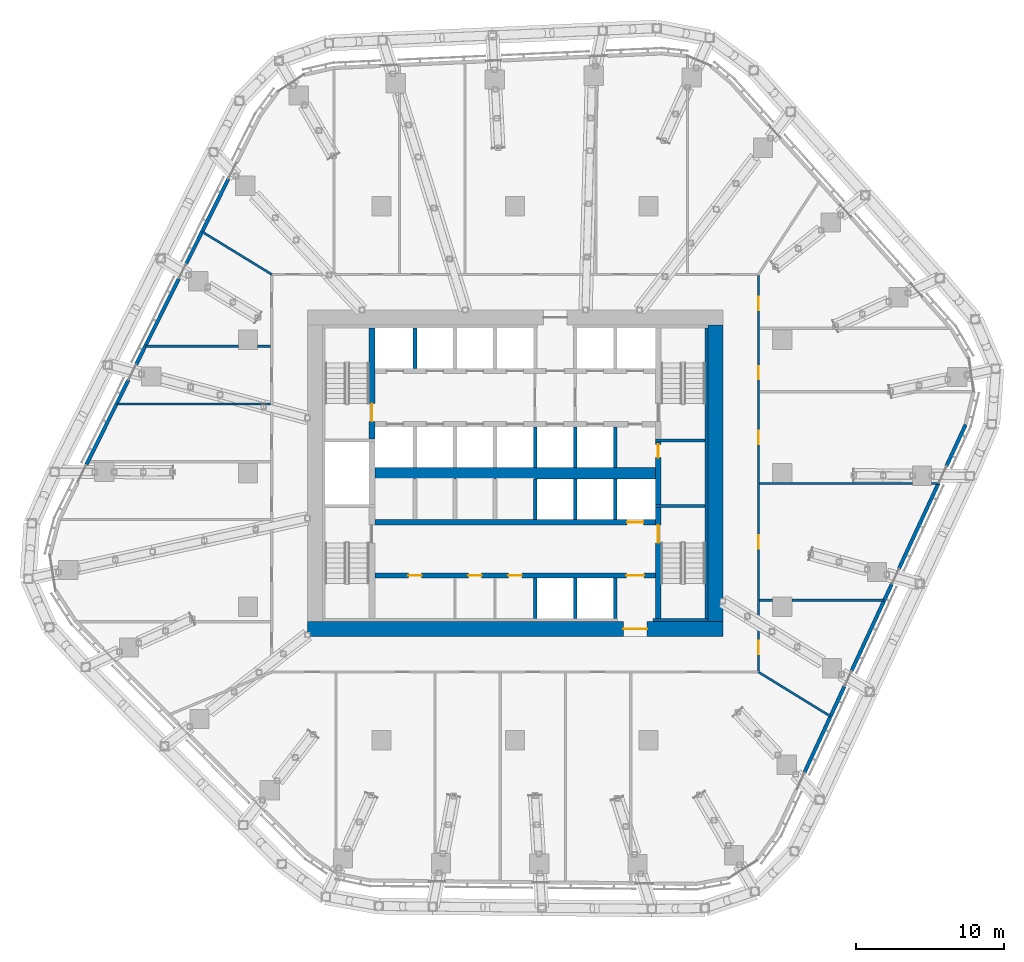
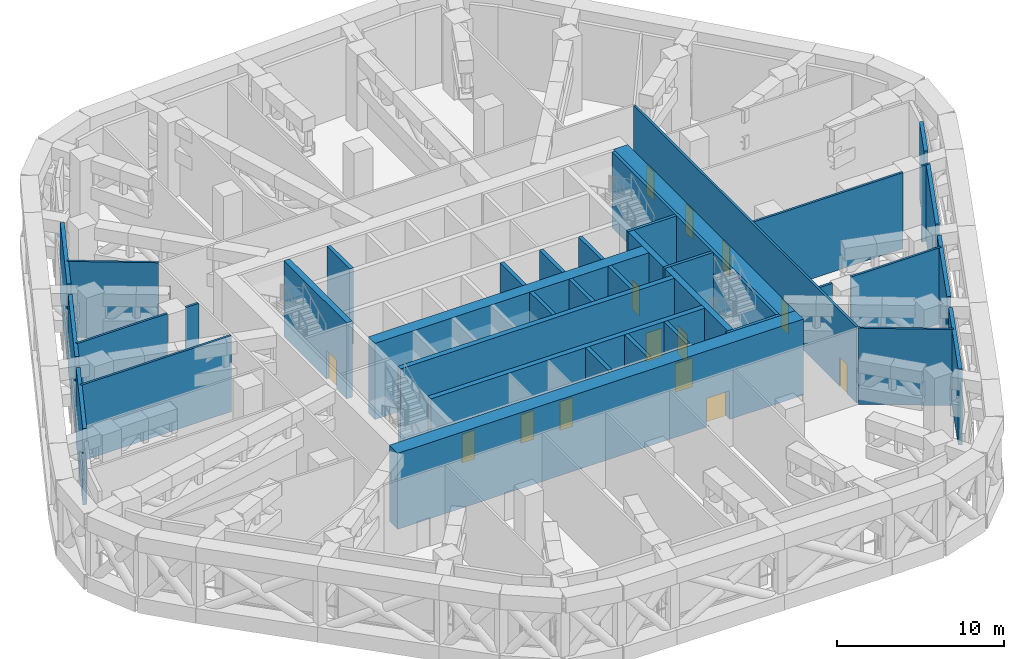
# One storey, part 17 of 30: 39 walls, 14 doors, 14 openings.
"""IFC4 building model written with IfcOpenShell, lengths in metres."""

from ifc_helpers import new_model, si_unit, direction, frame, frame_2d, origin, place, context, subcontext, project, spatial, rectangle, extrude, material, layer, layer_set, type_object, element, fill, save


model = new_model("IFC4")

# Units and contexts
model_context = context("Model", 3, precision=1e-05, world=origin(), true_north=direction((0.0, 1.0)))
body_context = subcontext(model_context, "Body", "Model", "MODEL_VIEW")
ifc_project = project(units=[si_unit("LENGTHUNIT", "METRE"), si_unit("AREAUNIT", "SQUARE_METRE"), si_unit("VOLUMEUNIT", "CUBIC_METRE"), si_unit("PLANEANGLEUNIT", "RADIAN"), si_unit("MASSUNIT", "GRAM", prefix="KILO")], contexts=[model_context])

# Site, building, storey
site_placement = place(None, origin())
site = spatial("IfcSite", under=ifc_project, at=site_placement, CompositionType="ELEMENT")
building_placement = place(site_placement, origin())
building = spatial("IfcBuilding", under=site, at=building_placement, Name="Dongbaek Canopy Tower", CompositionType="ELEMENT")
storey_placement = place(building_placement, frame((0.0, 0.0, 145.60009765625)))
storey = spatial("IfcBuildingStorey", under=building, at=storey_placement, Name="L32", CompositionType="ELEMENT", Elevation=145.60009765625)

# Wall
ifc_material_1 = material(Name="Concrete C60/75", Category="concrete")
ifc_layer_1 = layer(ifc_material_1, 0.800048828125)
ifc_layer_set_1 = layer_set([ifc_layer_1], Name="Core central wall 800 Concrete C60/75")
wall_type_1 = type_object("IfcWallType", Name="Core central wall 800 Concrete C60/75", PredefinedType="SHEAR", material=ifc_layer_set_1)
wall_1_placement = place(storey_placement, frame((-9.449951171875, 0.0, 0.0), z_axis=(0.0, 0.0, 1.0), x_axis=(1.0, 0.0, 0.0)))
element("IfcWall", 1, at=wall_1_placement, inside=storey, type_object=wall_type_1, Name="Core wall", PredefinedType="SHEAR", context=body_context, shape_type="SweptSolid", body=[
    extrude(rectangle(XDim=18.89990234375, YDim=0.800048828125, at=frame_2d((9.449951171875, 0.0))), origin(), (0.0, 0.0, 1.0), 5.5498046875),
])

# Wall, opening, door
ifc_material_2 = material(Name="Concrete C60/75", Category="concrete")
ifc_layer_2 = layer(ifc_material_2, 0.35009765625)
ifc_layer_set_2 = layer_set([ifc_layer_2], Name="Core lobby wall 350 Concrete C60/75")
wall_type_2 = type_object("IfcWallType", Name="Core lobby wall 350 Concrete C60/75", PredefinedType="SHEAR", material=ifc_layer_set_2)
wall_2_placement = place(storey_placement, frame((-9.449951171875, -3.300048828125, 0.0), z_axis=(0.0, 0.0, 1.0), x_axis=(1.0, 0.0, 0.0)))
wall_2 = element("IfcWall", 2, at=wall_2_placement, inside=storey, type_object=wall_type_2, Name="Core wall", PredefinedType="SHEAR", context=body_context, shape_type="SweptSolid", body=[
    extrude(rectangle(XDim=18.89990234375, YDim=0.35009765625, at=frame_2d((9.449951171875, 0.0))), origin(), (0.0, 0.0, 1.0), 5.5498046875),
])
opening_1_placement = place(wall_2_placement, frame((17.0, 0.0, 0.0)))
opening_1 = element("IfcOpeningElement", 3, at=opening_1_placement, cuts=wall_2, Name="Opening L32-D040", PredefinedType="OPENING", context=body_context, shape_type="SweptSolid", body=[
    extrude(rectangle(XDim=1.10009765625, YDim=2.10009765625, at=frame_2d((0.550048828125, 1.050048828125))), frame((0.0, 0.18505859375, 0.0), z_axis=(0.0, -1.0, 0.0), x_axis=(1.0, 0.0, 0.0)), (0.0, 0.0, 1.0), 0.3701171875),
])
ifc_material_3 = material(Name="Stainless steel", Category="steel")
door_type_1 = type_object("IfcDoorType", Name="Lift landing door 1100 x 2100", OperationType="DOUBLE_DOOR_SLIDING", PredefinedType="DOOR", material=ifc_material_3)
door_1_placement = place(opening_1_placement, origin())
door_1 = element("IfcDoor", 4, at=door_1_placement, inside=storey, type_object=door_type_1, Name="Landing door SV2", OperationType="DOUBLE_DOOR_SLIDING", OverallHeight=2.10009765625, OverallWidth=1.10009765625, PredefinedType="DOOR", context=body_context, shape_type="SweptSolid", body=[
    extrude(rectangle(XDim=1.10009765625, YDim=2.10009765625, at=frame_2d((0.550048828125, 1.050048828125))), frame((0.0, 0.02490234375, 0.0), z_axis=(0.0, -1.0, 0.0), x_axis=(1.0, 0.0, 0.0)), (0.0, 0.0, 1.0), 0.050048828125),
])
fill(opening_1, door_1)

# Wall, openings, doors
wall_3_placement = place(storey_placement, frame((9.449951171875, -6.89990234375, 0.0), z_axis=(0.0, 0.0, 1.0), x_axis=(-1.0, 0.0, 0.0)))
wall_3 = element("IfcWall", 5, at=wall_3_placement, inside=storey, type_object=wall_type_2, Name="Core wall", PredefinedType="SHEAR", context=body_context, shape_type="SweptSolid", body=[
    extrude(rectangle(XDim=18.89990234375, YDim=0.35009765625, at=frame_2d((9.449951171875, 0.0))), origin(), (0.0, 0.0, 1.0), 5.5498046875),
])
opening_2_placement = place(wall_3_placement, frame((0.75, 0.0, 0.0)))
opening_2 = element("IfcOpeningElement", 6, at=opening_2_placement, cuts=wall_3, Name="Opening L32-D042", PredefinedType="OPENING", context=body_context, shape_type="SweptSolid", body=[
    extrude(rectangle(XDim=1.199951171875, YDim=2.10009765625, at=frame_2d((0.60009765625, 1.050048828125))), frame((0.0, 0.18505859375, 0.0), z_axis=(0.0, -1.0, 0.0), x_axis=(1.0, 0.0, 0.0)), (0.0, 0.0, 1.0), 0.3701171875),
])
opening_3_placement = place(wall_3_placement, frame((15.75, 0.0, 0.0)))
opening_3 = element("IfcOpeningElement", 7, at=opening_3_placement, cuts=wall_3, Name="Opening L32-D043", PredefinedType="OPENING", context=body_context, shape_type="SweptSolid", body=[
    extrude(rectangle(XDim=0.89990234375, YDim=2.10009765625, at=frame_2d((0.449951171875, 1.050048828125))), frame((0.0, 0.18505859375, 0.0), z_axis=(0.0, -1.0, 0.0), x_axis=(1.0, 0.0, 0.0)), (0.0, 0.0, 1.0), 0.3701171875),
])
opening_4_placement = place(wall_3_placement, frame((11.699951171875, 0.0, 0.0)))
opening_4 = element("IfcOpeningElement", 8, at=opening_4_placement, cuts=wall_3, Name="Opening L32-D044", PredefinedType="OPENING", context=body_context, shape_type="SweptSolid", body=[
    extrude(rectangle(XDim=0.89990234375, YDim=2.10009765625, at=frame_2d((0.449951171875, 1.050048828125))), frame((0.0, 0.18505859375, 0.0), z_axis=(0.0, -1.0, 0.0), x_axis=(1.0, 0.0, 0.0)), (0.0, 0.0, 1.0), 0.3701171875),
])
opening_5_placement = place(wall_3_placement, frame((9.0, 0.0, 0.0)))
opening_5 = element("IfcOpeningElement", 9, at=opening_5_placement, cuts=wall_3, Name="Opening L32-D045", PredefinedType="OPENING", context=body_context, shape_type="SweptSolid", body=[
    extrude(rectangle(XDim=0.89990234375, YDim=2.10009765625, at=frame_2d((0.449951171875, 1.050048828125))), frame((0.0, 0.18505859375, 0.0), z_axis=(0.0, -1.0, 0.0), x_axis=(1.0, 0.0, 0.0)), (0.0, 0.0, 1.0), 0.3701171875),
])
ifc_material_4 = material(Name="Steel", Category="steel")
door_type_2 = type_object("IfcDoorType", Name="Core room door 900 x 2100", OperationType="SINGLE_SWING_LEFT", PredefinedType="DOOR", material=ifc_material_4)
door_2_placement = place(opening_3_placement, origin())
door_2 = element("IfcDoor", 10, at=door_2_placement, inside=storey, type_object=door_type_2, Name="Door L32-D043", OperationType="SINGLE_SWING_RIGHT", OverallHeight=2.10009765625, OverallWidth=0.89990234375, PredefinedType="DOOR", context=body_context, shape_type="SweptSolid", body=[
    extrude(rectangle(XDim=0.89990234375, YDim=2.10009765625, at=frame_2d((0.449951171875, 1.050048828125))), frame((0.0, 0.02490234375, 0.0), z_axis=(0.0, -1.0, 0.0), x_axis=(1.0, 0.0, 0.0)), (0.0, 0.0, 1.0), 0.050048828125),
])
fill(opening_3, door_2)
door_3_placement = place(opening_4_placement, origin())
door_3 = element("IfcDoor", 11, at=door_3_placement, inside=storey, type_object=door_type_2, Name="Door L32-D044", OperationType="SINGLE_SWING_LEFT", OverallHeight=2.10009765625, OverallWidth=0.89990234375, PredefinedType="DOOR", context=body_context, shape_type="SweptSolid", body=[
    extrude(rectangle(XDim=0.89990234375, YDim=2.10009765625, at=frame_2d((0.449951171875, 1.050048828125))), frame((0.0, 0.02490234375, 0.0), z_axis=(0.0, -1.0, 0.0), x_axis=(1.0, 0.0, 0.0)), (0.0, 0.0, 1.0), 0.050048828125),
])
fill(opening_4, door_3)
door_4_placement = place(opening_5_placement, origin())
door_4 = element("IfcDoor", 12, at=door_4_placement, inside=storey, type_object=door_type_2, Name="Door L32-D045", OperationType="SINGLE_SWING_RIGHT", OverallHeight=2.10009765625, OverallWidth=0.89990234375, PredefinedType="DOOR", context=body_context, shape_type="SweptSolid", body=[
    extrude(rectangle(XDim=0.89990234375, YDim=2.10009765625, at=frame_2d((0.449951171875, 1.050048828125))), frame((0.0, 0.02490234375, 0.0), z_axis=(0.0, -1.0, 0.0), x_axis=(1.0, 0.0, 0.0)), (0.0, 0.0, 1.0), 0.050048828125),
])
fill(opening_5, door_4)
ifc_material_5 = material(Name="Steel", Category="steel")
door_type_3 = type_object("IfcDoorType", Name="Fire lobby door 1200 x 2100", OperationType="SINGLE_SWING_LEFT", PredefinedType="DOOR", material=ifc_material_5)
door_5_placement = place(opening_2_placement, origin())
door_5 = element("IfcDoor", 13, at=door_5_placement, inside=storey, type_object=door_type_3, Name="Door L32-D042", OperationType="SINGLE_SWING_LEFT", OverallHeight=2.10009765625, OverallWidth=1.199951171875, PredefinedType="DOOR", context=body_context, shape_type="SweptSolid", body=[
    extrude(rectangle(XDim=1.199951171875, YDim=2.10009765625, at=frame_2d((0.60009765625, 1.050048828125))), frame((0.0, 0.02490234375, 0.0), z_axis=(0.0, -1.0, 0.0), x_axis=(1.0, 0.0, 0.0)), (0.0, 0.0, 1.0), 0.050048828125),
])
fill(opening_2, door_5)

# Wall, opening, door
ifc_material_6 = material(Name="Concrete C60/75", Category="concrete")
ifc_layer_3 = layer(ifc_material_6, 1.0)
ifc_layer_set_3 = layer_set([ifc_layer_3], Name="Core outer wall 1000 Concrete C60/75")
wall_type_3 = type_object("IfcWallType", Name="Core outer wall 1000 Concrete C60/75", PredefinedType="SHEAR", material=ifc_layer_set_3)
wall_4_placement = place(storey_placement, frame((14.0, -10.5, 0.0), z_axis=(0.0, 0.0, 1.0), x_axis=(-1.0, 0.0, 0.0)))
wall_4 = element("IfcWall", 14, at=wall_4_placement, inside=storey, type_object=wall_type_3, Name="Core wall", PredefinedType="SHEAR", context=body_context, shape_type="SweptSolid", body=[
    extrude(rectangle(XDim=28.0, YDim=1.0, at=frame_2d((14.0, 0.0))), origin(), (0.0, 0.0, 1.0), 5.5498046875),
])
opening_6_placement = place(wall_4_placement, frame((5.10009765625, 0.0, 0.0)))
opening_6 = element("IfcOpeningElement", 15, at=opening_6_placement, cuts=wall_4, Name="Opening L32-D041", PredefinedType="OPENING", context=body_context, shape_type="SweptSolid", body=[
    extrude(rectangle(XDim=1.60009765625, YDim=2.10009765625, at=frame_2d((0.800048828125, 1.050048828125))), frame((0.0, 0.510009765625, 0.0), z_axis=(0.0, -1.0, 0.0), x_axis=(1.0, 0.0, 0.0)), (0.0, 0.0, 1.0), 1.02001953125),
])
ifc_material_7 = material(Name="Steel", Category="steel")
door_type_4 = type_object("IfcDoorType", Name="Core exit door 1600 x 2100", OperationType="DOUBLE_DOOR_SINGLE_SWING", PredefinedType="DOOR", material=ifc_material_7)
door_6_placement = place(opening_6_placement, origin())
door_6 = element("IfcDoor", 16, at=door_6_placement, inside=storey, type_object=door_type_4, Name="Core exit door", OperationType="DOUBLE_DOOR_SINGLE_SWING", OverallHeight=2.10009765625, OverallWidth=1.60009765625, PredefinedType="DOOR", context=body_context, shape_type="SweptSolid", body=[
    extrude(rectangle(XDim=1.60009765625, YDim=2.10009765625, at=frame_2d((0.800048828125, 1.050048828125))), frame((0.0, 0.02490234375, 0.0), z_axis=(0.0, -1.0, 0.0), x_axis=(1.0, 0.0, 0.0)), (0.0, 0.0, 1.0), 0.050048828125),
])
fill(opening_6, door_6)

# Walls
wall_5_placement = place(storey_placement, frame((13.5, 10.0, 0.0), z_axis=(0.0, 0.0, 1.0), x_axis=(0.0, -1.0, 0.0)))
element("IfcWall", 17, at=wall_5_placement, inside=storey, type_object=wall_type_3, Name="Core wall", PredefinedType="SHEAR", context=body_context, shape_type="SweptSolid", body=[
    extrude(rectangle(XDim=20.0, YDim=1.0, at=frame_2d((10.0, 0.0))), origin(), (0.0, 0.0, 1.0), 5.5498046875),
])
ifc_material_8 = material(Name="Concrete C60/75", Category="concrete")
ifc_layer_4 = layer(ifc_material_8, 0.199951171875)
ifc_layer_set_4 = layer_set([ifc_layer_4], Name="Core wall lining 200 Concrete C60/75")
wall_type_4 = type_object("IfcWallType", Name="Core wall lining 200 Concrete C60/75", PredefinedType="SHEAR", material=ifc_layer_set_4)
wall_6_placement = place(storey_placement, frame((13.0, -9.89990234375, 0.0), z_axis=(0.0, 0.0, 1.0), x_axis=(-1.0, 0.0, 0.0)))
element("IfcWall", 18, at=wall_6_placement, inside=storey, type_object=wall_type_4, Name="Core wall lining", PredefinedType="SHEAR", context=body_context, shape_type="SweptSolid", body=[
    extrude(rectangle(XDim=3.699951171875, YDim=0.199951171875, at=frame_2d((1.85009765625, 0.0))), origin(), (0.0, 0.0, 1.0), 5.5498046875),
])
wall_7_placement = place(storey_placement, frame((12.89990234375, 9.800048828125, 0.0), z_axis=(0.0, 0.0, 1.0), x_axis=(0.0, -1.0, 0.0)))
element("IfcWall", 19, at=wall_7_placement, inside=storey, type_object=wall_type_4, Name="Core wall lining", PredefinedType="SHEAR", context=body_context, shape_type="SweptSolid", body=[
    extrude(rectangle(XDim=19.60009765625, YDim=0.199951171875, at=frame_2d((9.800048828125, 0.0))), origin(), (0.0, 0.0, 1.0), 5.5498046875),
])
ifc_material_9 = material(Name="Gypsum board partition, steel stud, 2 x 15 mm fire board", Category="steel")
ifc_layer_5 = layer(ifc_material_9, 0.14990234375)
ifc_layer_set_5 = layer_set([ifc_layer_5], Name="Fire-rated partition 150 gypsum board")
wall_type_5 = type_object("IfcWallType", Name="Fire-rated partition 150 gypsum board", PredefinedType="PARTITIONING", material=ifc_layer_set_5)
wall_8_placement = place(storey_placement, frame((16.47509765625, -8.56591796875, 0.0), z_axis=(0.0, 0.0, 1.0), x_axis=(1.0, 0.0, 0.0)))
element("IfcWall", 20, at=wall_8_placement, inside=storey, type_object=wall_type_5, Name="Corridor partition", PredefinedType="PARTITIONING", context=body_context, shape_type="SweptSolid", body=[
    extrude(rectangle(XDim=0.875, YDim=0.14990234375, at=frame_2d((0.4375, 0.0))), origin(), (0.0, 0.0, 1.0), 5.5498046875),
])
wall_9_placement = place(storey_placement, frame((18.64990234375, -8.56591796875, 0.0), z_axis=(0.0, 0.0, 1.0), x_axis=(1.0, 0.0, 0.0)))
element("IfcWall", 21, at=wall_9_placement, inside=storey, type_object=wall_type_5, Name="Corridor partition", PredefinedType="PARTITIONING", context=body_context, shape_type="SweptSolid", body=[
    extrude(rectangle(XDim=6.2177734375, YDim=0.14990234375, at=frame_2d((3.10888671875, 0.0))), origin(), (0.0, 0.0, 1.0), 5.5498046875),
])
wall_10_placement = place(storey_placement, frame((16.47509765625, -0.68896484375, 0.0), z_axis=(0.0, 0.0, 1.0), x_axis=(1.0, 0.0, 0.0)))
element("IfcWall", 22, at=wall_10_placement, inside=storey, type_object=wall_type_5, Name="Corridor partition", PredefinedType="PARTITIONING", context=body_context, shape_type="SweptSolid", body=[
    extrude(rectangle(XDim=10.310791015625, YDim=0.14990234375, at=frame_2d((5.1552734375, 0.0))), origin(), (0.0, 0.0, 1.0), 5.5498046875),
])
wall_11_placement = place(storey_placement, frame((28.0859375, -0.68896484375, 0.0), z_axis=(0.0, 0.0, 1.0), x_axis=(1.0, 0.0, 0.0)))
element("IfcWall", 23, at=wall_11_placement, inside=storey, type_object=wall_type_5, Name="Corridor partition", PredefinedType="PARTITIONING", context=body_context, shape_type="SweptSolid", body=[
    extrude(rectangle(XDim=0.4306640625, YDim=0.14990234375, at=frame_2d((0.21533203125, 0.0))), origin(), (0.0, 0.0, 1.0), 5.5498046875),
])
wall_12_placement = place(storey_placement, frame((-26.849609375, 4.66796875, 0.0), z_axis=(0.0, 0.0, 1.0), x_axis=(1.0, 0.0, 0.0)))
element("IfcWall", 24, at=wall_12_placement, inside=storey, type_object=wall_type_5, Name="Corridor partition", PredefinedType="PARTITIONING", context=body_context, shape_type="SweptSolid", body=[
    extrude(rectangle(XDim=10.37451171875, YDim=0.14990234375, at=frame_2d((5.187255859375, 0.0))), origin(), (0.0, 0.0, 1.0), 5.5498046875),
])
wall_13_placement = place(storey_placement, frame((-24.917724609375, 8.556884765625, 0.0), z_axis=(0.0, 0.0, 1.0), x_axis=(1.0, 0.0, 0.0)))
element("IfcWall", 25, at=wall_13_placement, inside=storey, type_object=wall_type_5, Name="Corridor partition", PredefinedType="PARTITIONING", context=body_context, shape_type="SweptSolid", body=[
    extrude(rectangle(XDim=6.267822265625, YDim=0.14990234375, at=frame_2d((3.1337890625, 0.0))), origin(), (0.0, 0.0, 1.0), 5.5498046875),
])
wall_14_placement = place(storey_placement, frame((-17.35009765625, 8.556884765625, 0.0), z_axis=(0.0, 0.0, 1.0), x_axis=(1.0, 0.0, 0.0)))
element("IfcWall", 26, at=wall_14_placement, inside=storey, type_object=wall_type_5, Name="Corridor partition", PredefinedType="PARTITIONING", context=body_context, shape_type="SweptSolid", body=[
    extrude(rectangle(XDim=0.875, YDim=0.14990234375, at=frame_2d((0.4375, 0.0))), origin(), (0.0, 0.0, 1.0), 5.5498046875),
])

# Wall, openings, doors
wall_15_placement = place(storey_placement, frame((16.39990234375, 13.324951171875, 0.0), z_axis=(0.0, 0.0, 1.0), x_axis=(0.0, -1.0, 0.0)))
wall_15 = element("IfcWall", 27, at=wall_15_placement, inside=storey, type_object=wall_type_5, Name="Corridor partition", PredefinedType="PARTITIONING", context=body_context, shape_type="SweptSolid", body=[
    extrude(rectangle(XDim=26.64990234375, YDim=0.14990234375, at=frame_2d((13.324951171875, 0.0))), origin(), (0.0, 0.0, 1.0), 5.5498046875),
])
opening_7_placement = place(wall_15_placement, frame((24.6162109375, 0.0, 0.0)))
opening_7 = element("IfcOpeningElement", 28, at=opening_7_placement, cuts=wall_15, Name="Opening L32-D010", PredefinedType="OPENING", context=body_context, shape_type="SweptSolid", body=[
    extrude(rectangle(XDim=0.89990234375, YDim=2.10009765625, at=frame_2d((0.449951171875, 1.050048828125))), frame((0.0, 0.0849609375, 0.0), z_axis=(0.0, -1.0, 0.0), x_axis=(1.0, 0.0, 0.0)), (0.0, 0.0, 1.0), 0.169921875),
])
opening_8_placement = place(wall_15_placement, frame((17.5029296875, 0.0, 0.0)))
opening_8 = element("IfcOpeningElement", 29, at=opening_8_placement, cuts=wall_15, Name="Opening L32-D011", PredefinedType="OPENING", context=body_context, shape_type="SweptSolid", body=[
    extrude(rectangle(XDim=0.89990234375, YDim=2.10009765625, at=frame_2d((0.449951171875, 1.050048828125))), frame((0.0, 0.0849609375, 0.0), z_axis=(0.0, -1.0, 0.0), x_axis=(1.0, 0.0, 0.0)), (0.0, 0.0, 1.0), 0.169921875),
])
opening_9_placement = place(wall_15_placement, frame((10.471923828125, 0.0, 0.0)))
opening_9 = element("IfcOpeningElement", 30, at=opening_9_placement, cuts=wall_15, Name="Opening L32-D012", PredefinedType="OPENING", context=body_context, shape_type="SweptSolid", body=[
    extrude(rectangle(XDim=0.89990234375, YDim=2.10009765625, at=frame_2d((0.449951171875, 1.050048828125))), frame((0.0, 0.0849609375, 0.0), z_axis=(0.0, -1.0, 0.0), x_axis=(1.0, 0.0, 0.0)), (0.0, 0.0, 1.0), 0.169921875),
])
opening_10_placement = place(wall_15_placement, frame((6.1044921875, 0.0, 0.0)))
opening_10 = element("IfcOpeningElement", 31, at=opening_10_placement, cuts=wall_15, Name="Opening L32-D013", PredefinedType="OPENING", context=body_context, shape_type="SweptSolid", body=[
    extrude(rectangle(XDim=0.89990234375, YDim=2.10009765625, at=frame_2d((0.449951171875, 1.050048828125))), frame((0.0, 0.0849609375, 0.0), z_axis=(0.0, -1.0, 0.0), x_axis=(1.0, 0.0, 0.0)), (0.0, 0.0, 1.0), 0.169921875),
])
opening_11_placement = place(wall_15_placement, frame((1.4384765625, 0.0, 0.0)))
opening_11 = element("IfcOpeningElement", 32, at=opening_11_placement, cuts=wall_15, Name="Opening L32-D014", PredefinedType="OPENING", context=body_context, shape_type="SweptSolid", body=[
    extrude(rectangle(XDim=0.89990234375, YDim=2.10009765625, at=frame_2d((0.449951171875, 1.050048828125))), frame((0.0, 0.0849609375, 0.0), z_axis=(0.0, -1.0, 0.0), x_axis=(1.0, 0.0, 0.0)), (0.0, 0.0, 1.0), 0.169921875),
])
ifc_material_10 = material(Name="Timber veneered door leaf", Category="wood")
door_type_5 = type_object("IfcDoorType", Name="Store door 900 x 2100", OperationType="SINGLE_SWING_LEFT", PredefinedType="DOOR", material=ifc_material_10)
door_7_placement = place(opening_7_placement, origin())
door_7 = element("IfcDoor", 33, at=door_7_placement, inside=storey, type_object=door_type_5, Name="Door L32-D010", OperationType="SINGLE_SWING_LEFT", OverallHeight=2.10009765625, OverallWidth=0.89990234375, PredefinedType="DOOR", context=body_context, shape_type="SweptSolid", body=[
    extrude(rectangle(XDim=0.89990234375, YDim=2.10009765625, at=frame_2d((0.449951171875, 1.050048828125))), frame((0.0, 0.02490234375, 0.0), z_axis=(0.0, -1.0, 0.0), x_axis=(1.0, 0.0, 0.0)), (0.0, 0.0, 1.0), 0.050048828125),
])
fill(opening_7, door_7)
door_8_placement = place(opening_8_placement, origin())
door_8 = element("IfcDoor", 34, at=door_8_placement, inside=storey, type_object=door_type_5, Name="Door L32-D011", OperationType="SINGLE_SWING_RIGHT", OverallHeight=2.10009765625, OverallWidth=0.89990234375, PredefinedType="DOOR", context=body_context, shape_type="SweptSolid", body=[
    extrude(rectangle(XDim=0.89990234375, YDim=2.10009765625, at=frame_2d((0.449951171875, 1.050048828125))), frame((0.0, 0.02490234375, 0.0), z_axis=(0.0, -1.0, 0.0), x_axis=(1.0, 0.0, 0.0)), (0.0, 0.0, 1.0), 0.050048828125),
])
fill(opening_8, door_8)
door_9_placement = place(opening_9_placement, origin())
door_9 = element("IfcDoor", 35, at=door_9_placement, inside=storey, type_object=door_type_5, Name="Door L32-D012", OperationType="SINGLE_SWING_LEFT", OverallHeight=2.10009765625, OverallWidth=0.89990234375, PredefinedType="DOOR", context=body_context, shape_type="SweptSolid", body=[
    extrude(rectangle(XDim=0.89990234375, YDim=2.10009765625, at=frame_2d((0.449951171875, 1.050048828125))), frame((0.0, 0.02490234375, 0.0), z_axis=(0.0, -1.0, 0.0), x_axis=(1.0, 0.0, 0.0)), (0.0, 0.0, 1.0), 0.050048828125),
])
fill(opening_9, door_9)
door_10_placement = place(opening_10_placement, origin())
door_10 = element("IfcDoor", 36, at=door_10_placement, inside=storey, type_object=door_type_5, Name="Door L32-D013", OperationType="SINGLE_SWING_RIGHT", OverallHeight=2.10009765625, OverallWidth=0.89990234375, PredefinedType="DOOR", context=body_context, shape_type="SweptSolid", body=[
    extrude(rectangle(XDim=0.89990234375, YDim=2.10009765625, at=frame_2d((0.449951171875, 1.050048828125))), frame((0.0, 0.02490234375, 0.0), z_axis=(0.0, -1.0, 0.0), x_axis=(1.0, 0.0, 0.0)), (0.0, 0.0, 1.0), 0.050048828125),
])
fill(opening_10, door_10)
door_11_placement = place(opening_11_placement, origin())
door_11 = element("IfcDoor", 37, at=door_11_placement, inside=storey, type_object=door_type_5, Name="Door L32-D014", OperationType="SINGLE_SWING_LEFT", OverallHeight=2.10009765625, OverallWidth=0.89990234375, PredefinedType="DOOR", context=body_context, shape_type="SweptSolid", body=[
    extrude(rectangle(XDim=0.89990234375, YDim=2.10009765625, at=frame_2d((0.449951171875, 1.050048828125))), frame((0.0, 0.02490234375, 0.0), z_axis=(0.0, -1.0, 0.0), x_axis=(1.0, 0.0, 0.0)), (0.0, 0.0, 1.0), 0.050048828125),
])
fill(opening_11, door_11)

# Walls
wall_16_placement = place(storey_placement, frame((16.400146484375, -13.39990234375, 0.0), z_axis=(0.0, 0.0, 1.0), x_axis=(0.851901274015, -0.523702414861, 0.0)))
element("IfcWall", 38, at=wall_16_placement, inside=storey, type_object=wall_type_5, Name="Corridor partition", PredefinedType="PARTITIONING", context=body_context, shape_type="SweptSolid", body=[
    extrude(rectangle(XDim=5.690673828125, YDim=0.14990234375, at=frame_2d((2.84521484375, 0.0))), origin(), (0.0, 0.0, 1.0), 5.5498046875),
])
wall_17_placement = place(storey_placement, frame((-21.084716796875, 16.272216796875, 0.0), z_axis=(0.0, 0.0, 1.0), x_axis=(0.85254186304, -0.52265894402, 0.0)))
element("IfcWall", 39, at=wall_17_placement, inside=storey, type_object=wall_type_5, Name="Corridor partition", PredefinedType="PARTITIONING", context=body_context, shape_type="SweptSolid", body=[
    extrude(rectangle(XDim=5.4951171875, YDim=0.14990234375, at=frame_2d((2.74755859375, 0.0))), origin(), (0.0, 0.0, 1.0), 5.5498046875),
])
ifc_material_11 = material(Name="Concrete C60/75", Category="concrete")
ifc_layer_6 = layer(ifc_material_11, 0.25)
ifc_layer_set_6 = layer_set([ifc_layer_6], Name="Lift pit wall 250 Concrete C60/75")
wall_type_6 = type_object("IfcWallType", Name="Lift pit wall 250 Concrete C60/75", PredefinedType="SHEAR", material=ifc_layer_set_6)
wall_18_placement = place(storey_placement, frame((1.35009765625, -3.125, 0.0), z_axis=(0.0, 0.0, 1.0), x_axis=(0.0, 1.0, 0.0)))
element("IfcWall", 40, at=wall_18_placement, inside=storey, type_object=wall_type_6, Name="Lift pit wall", PredefinedType="SHEAR", context=body_context, shape_type="SweptSolid", body=[
    extrude(rectangle(XDim=2.72509765625, YDim=0.25, at=frame_2d((1.362548828125, 0.0))), origin(), (0.0, 0.0, 1.0), 5.5498046875),
])
ifc_material_12 = material(Name="Concrete C40/50", Category="concrete")
ifc_layer_7 = layer(ifc_material_12, 0.25)
ifc_layer_set_7 = layer_set([ifc_layer_7], Name="Lift shaft wall 250 Concrete C40/50")
wall_type_7 = type_object("IfcWallType", Name="Lift shaft wall 250 Concrete C40/50", PredefinedType="SOLIDWALL", material=ifc_layer_set_7)
for number, where, z_axis, x_axis, name in (
    (41, (6.75, -9.800048828125, 0.0), (0.0, 0.0, 1.0), (0.0, 1.0, 0.0), "Lift shaft wall"),
    (42, (6.75, -3.125, 0.0), (0.0, 0.0, 1.0), (0.0, 1.0, 0.0), "Lift shaft wall"),
    (43, (6.75, 0.39990234375, 0.0), (0.0, 0.0, 1.0), (0.0, 1.0, 0.0), "Lift shaft wall"),
    (44, (4.050048828125, -9.800048828125, 0.0), (0.0, 0.0, 1.0), (0.0, 1.0, 0.0), "Lift shaft wall"),
    (45, (4.050048828125, -3.125, 0.0), (0.0, 0.0, 1.0), (0.0, 1.0, 0.0), "Lift shaft wall"),
    (46, (4.050048828125, 0.39990234375, 0.0), (0.0, 0.0, 1.0), (0.0, 1.0, 0.0), "Lift shaft wall"),
    (47, (1.35009765625, -9.800048828125, 0.0), (0.0, 0.0, 1.0), (0.0, 1.0, 0.0), "Lift shaft wall"),
    (48, (1.35009765625, 0.39990234375, 0.0), (0.0, 0.0, 1.0), (0.0, 1.0, 0.0), "Lift shaft wall"),
    (49, (-6.75, 7.074951171875, 0.0), (0.0, 0.0, 1.0), (0.0, 1.0, 0.0), "Lift shaft wall"),
):
    element("IfcWall", number, at=place(storey_placement, frame(where, z_axis=z_axis, x_axis=x_axis)), inside=storey, type_object=wall_type_7, Name=name, PredefinedType="SOLIDWALL", context=body_context, shape_type="SweptSolid", body=[
        extrude(rectangle(XDim=2.72509765625, YDim=0.25, at=frame_2d((1.362548828125, 0.0))), origin(), (0.0, 0.0, 1.0), 5.5498046875),
    ])
ifc_material_13 = material(Name="Pale metal cladding on insulated wall")
ifc_layer_8 = layer(ifc_material_13, 0.25)
ifc_layer_set_8 = layer_set([ifc_layer_8], Name="Plant floor wall 250")
wall_type_8 = type_object("IfcWallType", Name="Plant floor wall 250", PredefinedType="SOLIDWALL", material=ifc_layer_set_8)
wall_19_placement = place(storey_placement, frame((-19.333740234375, 19.841552734375, 0.0), z_axis=(0.0, 0.0, 1.0), x_axis=(-0.444917158653, -0.895571729085, 0.0)))
element("IfcWall", 50, at=wall_19_placement, inside=storey, type_object=wall_type_8, Name="Plant wall L32 F2 2", PredefinedType="SOLIDWALL", context=body_context, shape_type="SweptSolid", body=[
    extrude(rectangle(XDim=6.3828125, YDim=0.25, at=frame_2d((3.19140625, 0.0))), origin(), (0.0, 0.0, 1.0), 5.5498046875),
])
wall_20_placement = place(storey_placement, frame((-22.678955078125, 13.108154296875, 0.0), z_axis=(0.0, 0.0, 1.0), x_axis=(-0.444935872318, -0.895562431952, 0.0)))
element("IfcWall", 51, at=wall_20_placement, inside=storey, type_object=wall_type_8, Name="Plant wall L32 F2 3", PredefinedType="SOLIDWALL", context=body_context, shape_type="SweptSolid", body=[
    extrude(rectangle(XDim=6.435302734375, YDim=0.25, at=frame_2d((3.2177734375, 0.0))), origin(), (0.0, 0.0, 1.0), 5.5498046875),
])
wall_21_placement = place(storey_placement, frame((-26.0703125, 6.2822265625, 0.0), z_axis=(0.0, 0.0, 1.0), x_axis=(-0.444896166975, -0.895582157376, 0.0)))
element("IfcWall", 52, at=wall_21_placement, inside=storey, type_object=wall_type_8, Name="Plant wall L32 F2 4", PredefinedType="SOLIDWALL", context=body_context, shape_type="SweptSolid", body=[
    extrude(rectangle(XDim=6.3671875, YDim=0.25, at=frame_2d((3.18359375, 0.0))), origin(), (0.0, 0.0, 1.0), 5.5498046875),
])
wall_22_placement = place(storey_placement, frame((19.5107421875, -20.177734375, 0.0), z_axis=(0.0, 0.0, 1.0), x_axis=(0.420327741059, 0.907372354712, 0.0)))
element("IfcWall", 53, at=wall_22_placement, inside=storey, type_object=wall_type_8, Name="Plant wall L32 F5 2", PredefinedType="SOLIDWALL", context=body_context, shape_type="SweptSolid", body=[
    extrude(rectangle(XDim=6.400146484375, YDim=0.25, at=frame_2d((3.2001953125, 0.0))), origin(), (0.0, 0.0, 1.0), 5.5498046875),
])
wall_23_placement = place(storey_placement, frame((22.6845703125, -13.326416015625, 0.0), z_axis=(0.0, 0.0, 1.0), x_axis=(0.420340604555, 0.907366395764, 0.0)))
element("IfcWall", 54, at=wall_23_placement, inside=storey, type_object=wall_type_8, Name="Plant wall L32 F5 3", PredefinedType="SOLIDWALL", context=body_context, shape_type="SweptSolid", body=[
    extrude(rectangle(XDim=6.4326171875, YDim=0.25, at=frame_2d((3.21630859375, 0.0))), origin(), (0.0, 0.0, 1.0), 5.5498046875),
])
wall_24_placement = place(storey_placement, frame((25.880859375, -6.426513671875, 0.0), z_axis=(0.0, 0.0, 1.0), x_axis=(0.420344294122, 0.907364686551, 0.0)))
element("IfcWall", 55, at=wall_24_placement, inside=storey, type_object=wall_type_8, Name="Plant wall L32 F5 4", PredefinedType="SOLIDWALL", context=body_context, shape_type="SweptSolid", body=[
    extrude(rectangle(XDim=6.341796875, YDim=0.25, at=frame_2d((3.1708984375, 0.0))), origin(), (0.0, 0.0, 1.0), 5.5498046875),
])
wall_25_placement = place(storey_placement, frame((29.090576171875, 0.501953125, 0.0), z_axis=(0.0, 0.0, 1.0), x_axis=(0.420305824115, 0.907382507113, 0.0)))
element("IfcWall", 56, at=wall_25_placement, inside=storey, type_object=wall_type_8, Name="Plant wall L32 F5 5", PredefinedType="SOLIDWALL", context=body_context, shape_type="SweptSolid", body=[
    extrude(rectangle(XDim=3.06396484375, YDim=0.25, at=frame_2d((1.531982421875, 0.0))), origin(), (0.0, 0.0, 1.0), 5.5498046875),
])
ifc_material_14 = material(Name="Concrete C60/75", Category="concrete")
ifc_layer_9 = layer(ifc_material_14, 0.199951171875)
ifc_layer_set_9 = layer_set([ifc_layer_9], Name="Riser wall 200 Concrete C60/75")
wall_type_9 = type_object("IfcWallType", Name="Riser wall 200 Concrete C60/75", PredefinedType="SHEAR", material=ifc_layer_set_9)
for number, where, z_axis, x_axis, name in (
    (57, (9.449951171875, 2.199951171875, 0.0), (0.0, 0.0, 1.0), (1.0, 0.0, 0.0), "Riser wall"),
    (58, (9.449951171875, -2.199951171875, 0.0), (0.0, 0.0, 1.0), (1.0, 0.0, 0.0), "Riser wall"),
):
    element("IfcWall", number, at=place(storey_placement, frame(where, z_axis=z_axis, x_axis=x_axis)), inside=storey, type_object=wall_type_9, Name=name, PredefinedType="SHEAR", context=body_context, shape_type="SweptSolid", body=[
        extrude(rectangle(XDim=3.35009765625, YDim=0.199951171875, at=frame_2d((1.675048828125, 0.0))), origin(), (0.0, 0.0, 1.0), 5.5498046875),
    ])

# Wall, opening, door
ifc_material_15 = material(Name="Concrete C60/75", Category="concrete")
ifc_layer_10 = layer(ifc_material_15, 0.39990234375)
ifc_layer_set_10 = layer_set([ifc_layer_10], Name="Stair wall 400 Concrete C60/75")
wall_type_10 = type_object("IfcWallType", Name="Stair wall 400 Concrete C60/75", PredefinedType="SHEAR", material=ifc_layer_set_10)
wall_26_placement = place(storey_placement, frame((9.64990234375, -2.300048828125, 0.0), z_axis=(0.0, 0.0, 1.0), x_axis=(0.0, -1.0, 0.0)))
wall_26 = element("IfcWall", 59, at=wall_26_placement, inside=storey, type_object=wall_type_10, Name="Stair wall", PredefinedType="SHEAR", context=body_context, shape_type="SweptSolid", body=[
    extrude(rectangle(XDim=7.5, YDim=0.39990234375, at=frame_2d((3.75, 0.0))), origin(), (0.0, 0.0, 1.0), 5.5498046875),
])
opening_12_placement = place(wall_26_placement, frame((1.199951171875, 0.0, 0.0)))
opening_12 = element("IfcOpeningElement", 60, at=opening_12_placement, cuts=wall_26, Name="Opening L32-D048", PredefinedType="OPENING", context=body_context, shape_type="SweptSolid", body=[
    extrude(rectangle(XDim=1.199951171875, YDim=2.10009765625, at=frame_2d((0.60009765625, 1.050048828125))), frame((0.0, 0.2099609375, 0.0), z_axis=(0.0, -1.0, 0.0), x_axis=(1.0, 0.0, 0.0)), (0.0, 0.0, 1.0), 0.419921875),
])
ifc_material_16 = material(Name="Steel", Category="steel")
door_type_6 = type_object("IfcDoorType", Name="Stair door 1200 x 2100", OperationType="SINGLE_SWING_LEFT", PredefinedType="DOOR", material=ifc_material_16)
door_12_placement = place(opening_12_placement, origin())
door_12 = element("IfcDoor", 61, at=door_12_placement, inside=storey, type_object=door_type_6, Name="Stair B door", OperationType="SINGLE_SWING_RIGHT", OverallHeight=2.10009765625, OverallWidth=1.199951171875, PredefinedType="DOOR", context=body_context, shape_type="SweptSolid", body=[
    extrude(rectangle(XDim=1.199951171875, YDim=2.10009765625, at=frame_2d((0.60009765625, 1.050048828125))), frame((0.0, 0.02490234375, 0.0), z_axis=(0.0, -1.0, 0.0), x_axis=(1.0, 0.0, 0.0)), (0.0, 0.0, 1.0), 0.050048828125),
])
fill(opening_12, door_12)

wall_27_placement = place(storey_placement, frame((9.64990234375, 2.10009765625, 0.0), z_axis=(0.0, 0.0, 1.0), x_axis=(0.0, -1.0, 0.0)))
wall_27 = element("IfcWall", 62, at=wall_27_placement, inside=storey, type_object=wall_type_10, Name="Stair wall", PredefinedType="SHEAR", context=body_context, shape_type="SweptSolid", body=[
    extrude(rectangle(XDim=4.2001953125, YDim=0.39990234375, at=frame_2d((2.10009765625, 0.0))), origin(), (0.0, 0.0, 1.0), 5.5498046875),
])
opening_13_placement = place(wall_27_placement, frame((0.14990234375, 0.0, 0.0)))
opening_13 = element("IfcOpeningElement", 63, at=opening_13_placement, cuts=wall_27, Name="Opening L32-D024", PredefinedType="OPENING", context=body_context, shape_type="SweptSolid", body=[
    extrude(rectangle(XDim=0.89990234375, YDim=2.10009765625, at=frame_2d((0.449951171875, 1.050048828125))), frame((0.0, 0.2099609375, 0.0), z_axis=(0.0, -1.0, 0.0), x_axis=(1.0, 0.0, 0.0)), (0.0, 0.0, 1.0), 0.419921875),
])
door_13_placement = place(opening_13_placement, origin())
door_13 = element("IfcDoor", 64, at=door_13_placement, inside=storey, type_object=door_type_2, Name="Door L32-D024", OperationType="SINGLE_SWING_RIGHT", OverallHeight=2.10009765625, OverallWidth=0.89990234375, PredefinedType="DOOR", context=body_context, shape_type="SweptSolid", body=[
    extrude(rectangle(XDim=0.89990234375, YDim=2.10009765625, at=frame_2d((0.449951171875, 1.050048828125))), frame((0.0, 0.02490234375, 0.0), z_axis=(0.0, -1.0, 0.0), x_axis=(1.0, 0.0, 0.0)), (0.0, 0.0, 1.0), 0.050048828125),
])
fill(opening_13, door_13)

wall_28_placement = place(storey_placement, frame((-9.64990234375, 2.300048828125, 0.0), z_axis=(0.0, 0.0, 1.0), x_axis=(0.0, 1.0, 0.0)))
wall_28 = element("IfcWall", 65, at=wall_28_placement, inside=storey, type_object=wall_type_10, Name="Stair wall", PredefinedType="SHEAR", context=body_context, shape_type="SweptSolid", body=[
    extrude(rectangle(XDim=7.5, YDim=0.39990234375, at=frame_2d((3.75, 0.0))), origin(), (0.0, 0.0, 1.0), 5.5498046875),
])
opening_14_placement = place(wall_28_placement, frame((1.199951171875, 0.0, 0.0)))
opening_14 = element("IfcOpeningElement", 66, at=opening_14_placement, cuts=wall_28, Name="Opening L32-D047", PredefinedType="OPENING", context=body_context, shape_type="SweptSolid", body=[
    extrude(rectangle(XDim=1.199951171875, YDim=2.10009765625, at=frame_2d((0.60009765625, 1.050048828125))), frame((0.0, 0.2099609375, 0.0), z_axis=(0.0, -1.0, 0.0), x_axis=(1.0, 0.0, 0.0)), (0.0, 0.0, 1.0), 0.419921875),
])
door_14_placement = place(opening_14_placement, origin())
door_14 = element("IfcDoor", 67, at=door_14_placement, inside=storey, type_object=door_type_6, Name="Stair C door", OperationType="SINGLE_SWING_RIGHT", OverallHeight=2.10009765625, OverallWidth=1.199951171875, PredefinedType="DOOR", context=body_context, shape_type="SweptSolid", body=[
    extrude(rectangle(XDim=1.199951171875, YDim=2.10009765625, at=frame_2d((0.60009765625, 1.050048828125))), frame((0.0, 0.02490234375, 0.0), z_axis=(0.0, -1.0, 0.0), x_axis=(1.0, 0.0, 0.0)), (0.0, 0.0, 1.0), 0.050048828125),
])
fill(opening_14, door_14)

save(model, "model.ifc")
